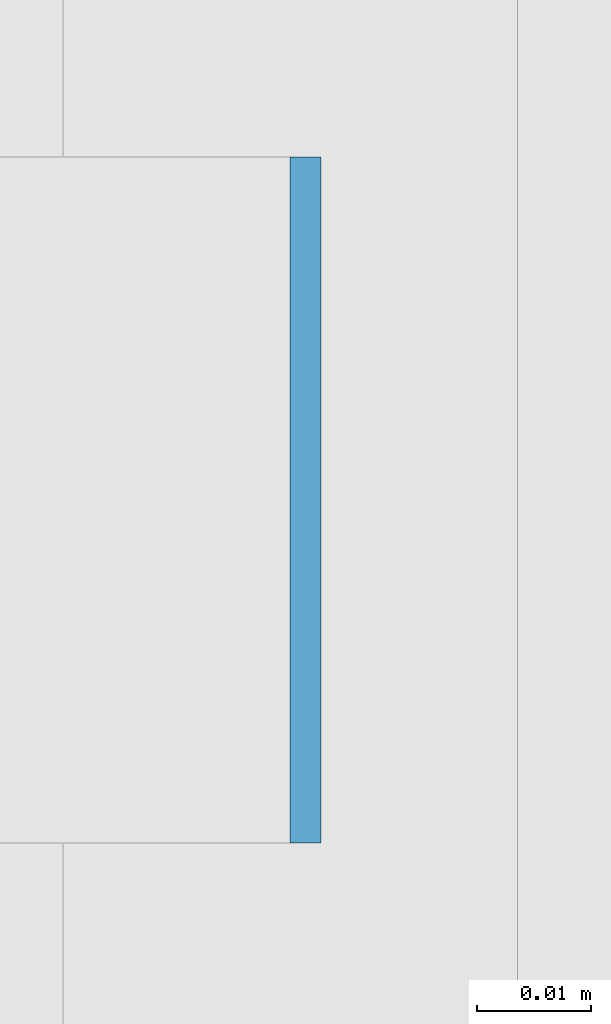
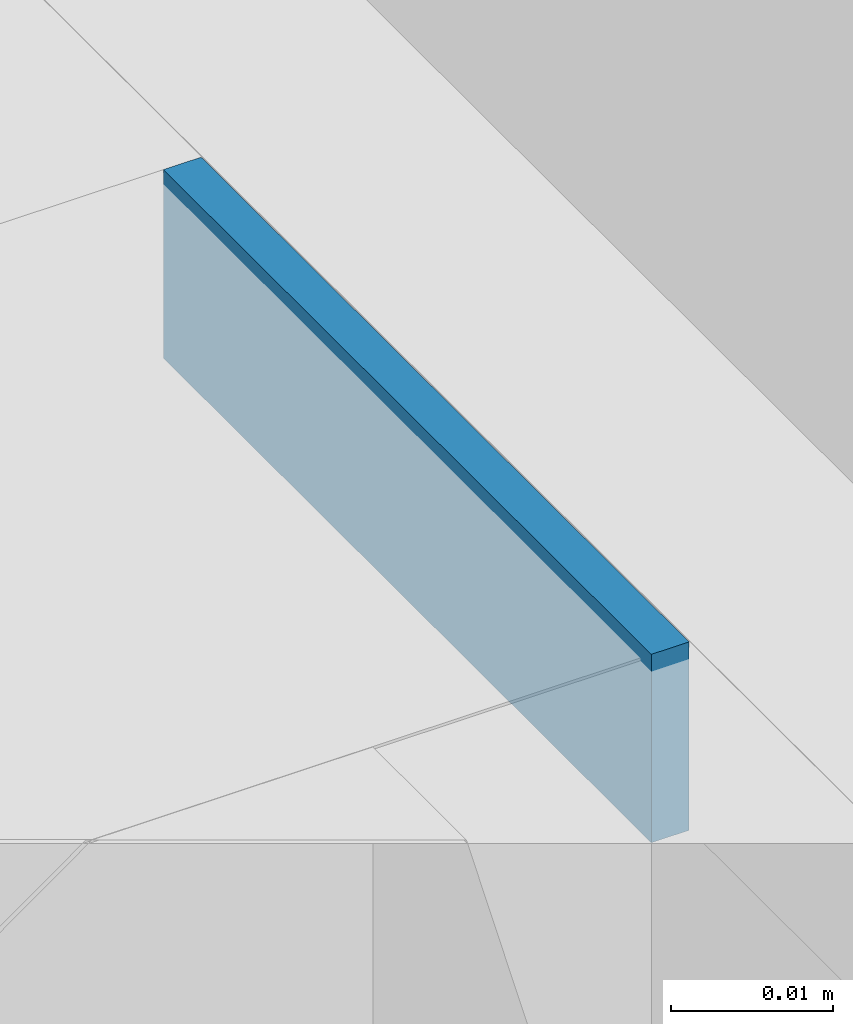
# One storey, part 243 of 646: 1 discrete accessory.
"""IFC4 building model written with IfcOpenShell, lengths in metres."""

from ifc_helpers import new_model, si_unit, direction, frame, origin, origin_2d, place, context, subcontext, project, spatial, rectangle, extrude, material, type_object, element, save


model = new_model("IFC4")

# Units and contexts
model_context = context("Model", 3, precision=1e-05, world=origin(), true_north=direction((0.0, 1.0)))
body_context = subcontext(model_context, "Body", "Model", "MODEL_VIEW")
ifc_project = project(units=[si_unit("LENGTHUNIT", "METRE"), si_unit("AREAUNIT", "SQUARE_METRE"), si_unit("VOLUMEUNIT", "CUBIC_METRE"), si_unit("PLANEANGLEUNIT", "RADIAN"), si_unit("MASSUNIT", "GRAM", prefix="KILO")], contexts=[model_context])

# Site, building, storey
site_placement = place(None, origin())
site = spatial("IfcSite", under=ifc_project, at=site_placement, CompositionType="ELEMENT")
building_placement = place(site_placement, origin())
building = spatial("IfcBuilding", under=site, at=building_placement, Name="Silverbay Arena", CompositionType="ELEMENT")
storey_placement = place(building_placement, frame((0.0, 0.0, 33.5)))
storey = spatial("IfcBuildingStorey", under=building, at=storey_placement, Name="L05", CompositionType="ELEMENT", Elevation=33.5)

# Discrete accessory
ifc_material = material(Name="Steel S355", Category="steel")
discrete_accessory_type = type_object("IfcDiscreteAccessoryType", Name="Steel bracket plate", PredefinedType="BRACKET", material=ifc_material)
discrete_accessory_placement = place(storey_placement, frame((53.871337890625, 30.2666015625, 12.98583984375), z_axis=(0.0, 0.0, 1.0), x_axis=(1.0, 0.0, 0.0)))
element("IfcDiscreteAccessory", 1, at=discrete_accessory_placement, inside=storey, type_object=discrete_accessory_type, Name="Curtain wall packing plate", PredefinedType="BRACKET", context=body_context, shape_type="SweptSolid", body=[
    extrude(rectangle(XDim=0.002685546875, YDim=0.06005859375, at=origin_2d()), origin(), (0.0, 0.0, 1.0), 0.01416015625),
])

save(model, "model.ifc")
